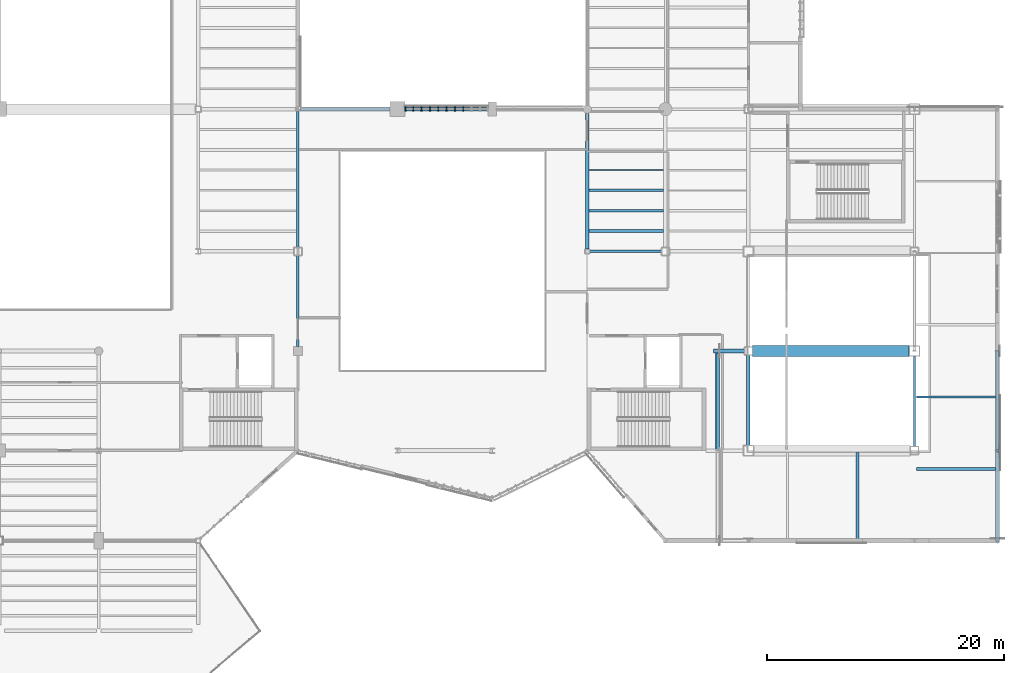
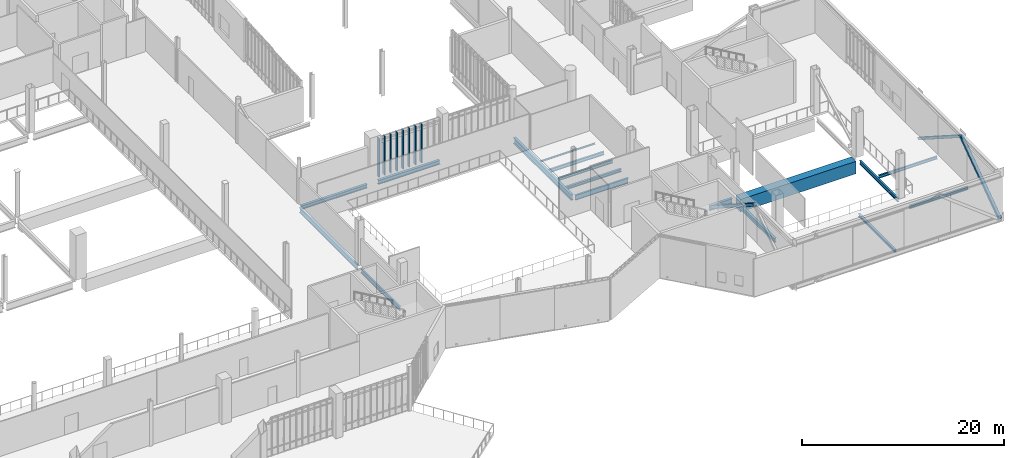
# One storey, part 26 of 127: 17 beams, 11 members, 1 element without a shape of its own.
"""IFC4 building model written with IfcOpenShell, lengths in metres."""

from ifc_helpers import new_model, si_unit, direction, frame, origin, origin_2d, place, context, subcontext, project, spatial, rectangle, hollow_rectangle, i_section, extrude, material, material_profile, profile_set, type_object, element, aggregate, save


model = new_model("IFC4")

# Units and contexts
model_context = context("Model", 3, precision=1e-05, world=origin(), true_north=direction((0.0, 1.0)))
body_context = subcontext(model_context, "Body", "Model", "MODEL_VIEW")
ifc_project = project(units=[si_unit("LENGTHUNIT", "METRE"), si_unit("AREAUNIT", "SQUARE_METRE"), si_unit("VOLUMEUNIT", "CUBIC_METRE"), si_unit("PLANEANGLEUNIT", "RADIAN"), si_unit("MASSUNIT", "GRAM", prefix="KILO")], contexts=[model_context])

# Site, building, storey
site_placement = place(None, origin())
site = spatial("IfcSite", under=ifc_project, at=site_placement, CompositionType="ELEMENT")
building_placement = place(site_placement, origin())
building = spatial("IfcBuilding", under=site, at=building_placement, Name="Larkvane Passage Sports Hall", CompositionType="ELEMENT")
storey_placement = place(building_placement, frame((0.0, 0.0, 5.39990234375)))
storey = spatial("IfcBuildingStorey", under=building, at=storey_placement, Name="L01", CompositionType="ELEMENT", Elevation=5.39990234375)

# Beams
ifc_material_1 = material(Name="Steel S355JR", Category="steel")
ifc_material_profile_1 = material_profile(ifc_material_1, i_section(OverallWidth=0.300048828125, OverallDepth=0.43994140625, WebThickness=0.010986328125, FlangeThickness=0.01806640625, FilletRadius=0.01806640625, at=origin_2d()), Name="H-440x300x11x18")
ifc_profile_set_1 = profile_set([ifc_material_profile_1], Name="Steel S355JR")
beam_type_1 = type_object("IfcBeamType", Name="BM-STL-H440", PredefinedType="BEAM", material=ifc_profile_set_1)
beam_1_placement = place(storey_placement, frame((93.80322265625, 51.60009765625, -0.639892578125), z_axis=(1.0, 0.0, 0.0), x_axis=(0.0, 1.0, 0.0)))
element("IfcBeam", 1, at=beam_1_placement, inside=storey, type_object=beam_type_1, Name="Girder BM5-X-L01-G-0406", PredefinedType="BEAM", context=body_context, shape_type="SweptSolid", body=[
    extrude(i_section(OverallWidth=0.300048828125, OverallDepth=0.43994140625, WebThickness=0.010986328125, FlangeThickness=0.01806640625, FilletRadius=0.01806640625, at=origin_2d()), origin(), (0.0, 0.0, 1.0), 7.57177734375),
])
ifc_material_profile_2 = material_profile(ifc_material_1, i_section(OverallWidth=0.300048828125, OverallDepth=0.488037109375, WebThickness=0.010986328125, FlangeThickness=0.01806640625, FilletRadius=0.02197265625, at=origin_2d()), Name="H-488x300x11x18")
ifc_profile_set_2 = profile_set([ifc_material_profile_2], Name="Steel S355JR")
beam_type_2 = type_object("IfcBeamType", Name="BM-STL-H488", PredefinedType="BEAM", material=ifc_profile_set_2)
beam_2_placement = place(storey_placement, frame((102.625, 51.60009765625, -0.663818359375), z_axis=(1.0, 0.0, 0.0), x_axis=(0.0, 1.0, 0.0)))
element("IfcBeam", 2, at=beam_2_placement, inside=storey, type_object=beam_type_2, Name="Girder BM5-X-L01-G-0407", PredefinedType="BEAM", context=body_context, shape_type="SweptSolid", body=[
    extrude(i_section(OverallWidth=0.300048828125, OverallDepth=0.488037109375, WebThickness=0.010986328125, FlangeThickness=0.01806640625, FilletRadius=0.02197265625, at=origin_2d()), origin(), (0.0, 0.0, 1.0), 7.02490234375),
])
beam_3_placement = place(storey_placement, frame((131.60009765625, 23.25, -0.663818359375), z_axis=(0.0, 1.0, 0.0), x_axis=(-1.0, 0.0, 0.0)))
element("IfcBeam", 3, at=beam_3_placement, inside=storey, type_object=beam_type_2, Name="Girder BM5-Y-L01-18-0498", PredefinedType="BEAM", context=body_context, shape_type="SweptSolid", body=[
    extrude(i_section(OverallWidth=0.300048828125, OverallDepth=0.488037109375, WebThickness=0.010986328125, FlangeThickness=0.01806640625, FilletRadius=0.02197265625, at=origin_2d()), origin(), (0.0, 0.0, 1.0), 7.60009765625),
])
ifc_material_2 = material(Name="Steel S460N", Category="steel")
ifc_material_profile_3 = material_profile(ifc_material_2, i_section(OverallWidth=0.300048828125, OverallDepth=0.587890625, WebThickness=0.011962890625, FlangeThickness=0.02001953125, FilletRadius=0.02197265625, at=origin_2d()), Name="H-588x300x12x20")
ifc_profile_set_3 = profile_set([ifc_material_profile_3], Name="Steel S460N")
beam_type_3 = type_object("IfcBeamType", Name="BM-STL-H588", PredefinedType="BEAM", material=ifc_profile_set_3)
beam_4_placement = place(storey_placement, frame((128.64990234375, 31.199951171875, -0.52392578125), z_axis=(1.0, 0.0, 0.0), x_axis=(0.0, 1.0, 0.0)))
element("IfcBeam", 4, at=beam_4_placement, inside=storey, type_object=beam_type_3, Name="East court cantilever anchor girder L01-E", PredefinedType="BEAM", context=body_context, shape_type="SweptSolid", body=[
    extrude(i_section(OverallWidth=0.300048828125, OverallDepth=0.587890625, WebThickness=0.011962890625, FlangeThickness=0.02001953125, FilletRadius=0.02197265625, at=origin_2d()), origin(), (0.0, 0.0, 1.0), 2.60009765625),
])
ifc_material_profile_4 = material_profile(ifc_material_1, i_section(OverallWidth=0.199951171875, OverallDepth=0.60009765625, WebThickness=0.010986328125, FlangeThickness=0.01708984375, FilletRadius=0.01806640625, at=origin_2d()), Name="H-600x200x11x17")
ifc_profile_set_4 = profile_set([ifc_material_profile_4], Name="Steel S355JR")
beam_type_4 = type_object("IfcBeamType", Name="BM-STL-H600", PredefinedType="BEAM", material=ifc_profile_set_4)
beam_5_placement = place(storey_placement, frame((118.199951171875, 39.60009765625, -0.719970703125), z_axis=(1.0, 0.0, 0.0), x_axis=(0.0, 1.0, 0.0)))
element("IfcBeam", 5, at=beam_5_placement, inside=storey, type_object=beam_type_4, Name="Girder BM5-X-L01-F-0397", PredefinedType="BEAM", context=body_context, shape_type="SweptSolid", body=[
    extrude(i_section(OverallWidth=0.199951171875, OverallDepth=0.60009765625, WebThickness=0.010986328125, FlangeThickness=0.01708984375, FilletRadius=0.01806640625, at=origin_2d()), origin(), (0.0, 0.0, 1.0), 6.050048828125),
])
beam_6_placement = place(storey_placement, frame((93.60009765625, 39.949951171875, -0.719970703125), z_axis=(0.0, 1.0, 0.0), x_axis=(-1.0, 0.0, 0.0)))
element("IfcBeam", 6, at=beam_6_placement, inside=storey, type_object=beam_type_4, Name="Girder BM5-Y-L01-13-0485", PredefinedType="BEAM", context=body_context, shape_type="SweptSolid", body=[
    extrude(i_section(OverallWidth=0.199951171875, OverallDepth=0.60009765625, WebThickness=0.010986328125, FlangeThickness=0.01708984375, FilletRadius=0.01806640625, at=origin_2d()), origin(), (0.0, 0.0, 1.0), 11.44677734375),
])
ifc_material_profile_5 = material_profile(ifc_material_2, i_section(OverallWidth=0.300048828125, OverallDepth=0.69189453125, WebThickness=0.012939453125, FlangeThickness=0.02001953125, FilletRadius=0.02197265625, at=origin_2d()), Name="H-692x300x13x20")
ifc_profile_set_5 = profile_set([ifc_material_profile_5], Name="Steel S460N")
beam_type_5 = type_object("IfcBeamType", Name="BM-STL-H692", PredefinedType="BEAM", material=ifc_profile_set_5)
beam_7_placement = place(storey_placement, frame((118.0, 39.800048828125, -0.765869140625), z_axis=(0.0, 1.0, 0.0), x_axis=(-1.0, 0.0, 0.0)))
element("IfcBeam", 7, at=beam_7_placement, inside=storey, type_object=beam_type_5, Name="Girder BM5-Y-L01-16-0490", PredefinedType="BEAM", context=body_context, shape_type="SweptSolid", body=[
    extrude(i_section(OverallWidth=0.300048828125, OverallDepth=0.69189453125, WebThickness=0.012939453125, FlangeThickness=0.02001953125, FilletRadius=0.02197265625, at=origin_2d()), origin(), (0.0, 0.0, 1.0), 11.449951171875),
])

# Curtain wall, members
ifc_material_3 = material(Name="Thermally broken aluminium and low-E glazing", Category="aluminium")
curtain_wall_type = type_object("IfcCurtainWallType", Name="CW-CLINIC", PredefinedType="USERDEFINED", material=ifc_material_3)
curtain_wall_placement = place(storey_placement, origin())
curtain_wall = element("IfcCurtainWall", 8, at=curtain_wall_placement, inside=storey, type_object=curtain_wall_type, Name="Curtain wall CW5-L01-047", ObjectType="UNITISED CURTAIN WALL", PredefinedType="USERDEFINED")
ifc_material_4 = material(Name="Anodised aluminium 6063-T6", Category="aluminium")
ifc_material_profile_6 = material_profile(ifc_material_4, rectangle(XDim=0.110107421875, YDim=0.360107421875, at=origin_2d()), Name="ALU-MUL-110x360")
ifc_profile_set_6 = profile_set([ifc_material_profile_6], Name="Anodised aluminium 6063-T6")
member_type_1 = type_object("IfcMemberType", Name="CW-MUL-110x360", PredefinedType="MULLION", material=ifc_profile_set_6)
member_1_placement = place(storey_placement, frame((102.676025390625, 51.60009765625, 0.0), z_axis=(0.0, 0.0, 1.0), x_axis=(1.0, 0.0, 0.0)))
member_1 = element("IfcMember", 9, at=member_1_placement, type_object=member_type_1, Name="CW-05 mullion 1", PredefinedType="MULLION", context=body_context, shape_type="SweptSolid", body=[
    extrude(rectangle(XDim=0.110107421875, YDim=0.360107421875, at=origin_2d()), origin(), (0.0, 0.0, 1.0), 4.674072265625),
])
member_2_placement = place(storey_placement, frame((103.32421875, 51.60009765625, 0.0), z_axis=(0.0, 0.0, 1.0), x_axis=(1.0, 0.0, 0.0)))
member_2 = element("IfcMember", 10, at=member_2_placement, type_object=member_type_1, Name="CW-05 mullion 2", PredefinedType="MULLION", context=body_context, shape_type="SweptSolid", body=[
    extrude(rectangle(XDim=0.110107421875, YDim=0.360107421875, at=origin_2d()), origin(), (0.0, 0.0, 1.0), 4.674072265625),
])
member_3_placement = place(storey_placement, frame((104.027587890625, 51.60009765625, 0.0), z_axis=(0.0, 0.0, 1.0), x_axis=(1.0, 0.0, 0.0)))
member_3 = element("IfcMember", 11, at=member_3_placement, type_object=member_type_1, Name="CW-05 mullion 3", PredefinedType="MULLION", context=body_context, shape_type="SweptSolid", body=[
    extrude(rectangle(XDim=0.110107421875, YDim=0.360107421875, at=origin_2d()), origin(), (0.0, 0.0, 1.0), 4.674072265625),
])
member_4_placement = place(storey_placement, frame((104.73095703125, 51.60009765625, 0.0), z_axis=(0.0, 0.0, 1.0), x_axis=(1.0, 0.0, 0.0)))
member_4 = element("IfcMember", 12, at=member_4_placement, type_object=member_type_1, Name="CW-05 mullion 4", PredefinedType="MULLION", context=body_context, shape_type="SweptSolid", body=[
    extrude(rectangle(XDim=0.110107421875, YDim=0.360107421875, at=origin_2d()), origin(), (0.0, 0.0, 1.0), 4.674072265625),
])
member_5_placement = place(storey_placement, frame((105.43408203125, 51.60009765625, 0.0), z_axis=(0.0, 0.0, 1.0), x_axis=(1.0, 0.0, 0.0)))
member_5 = element("IfcMember", 13, at=member_5_placement, type_object=member_type_1, Name="CW-05 mullion 5", PredefinedType="MULLION", context=body_context, shape_type="SweptSolid", body=[
    extrude(rectangle(XDim=0.110107421875, YDim=0.360107421875, at=origin_2d()), origin(), (0.0, 0.0, 1.0), 4.674072265625),
])
member_6_placement = place(storey_placement, frame((106.137451171875, 51.60009765625, 0.0), z_axis=(0.0, 0.0, 1.0), x_axis=(1.0, 0.0, 0.0)))
member_6 = element("IfcMember", 14, at=member_6_placement, type_object=member_type_1, Name="CW-05 mullion 6", PredefinedType="MULLION", context=body_context, shape_type="SweptSolid", body=[
    extrude(rectangle(XDim=0.110107421875, YDim=0.360107421875, at=origin_2d()), origin(), (0.0, 0.0, 1.0), 4.674072265625),
])
member_7_placement = place(storey_placement, frame((106.8408203125, 51.60009765625, 0.0), z_axis=(0.0, 0.0, 1.0), x_axis=(1.0, 0.0, 0.0)))
member_7 = element("IfcMember", 15, at=member_7_placement, type_object=member_type_1, Name="CW-05 mullion 7", PredefinedType="MULLION", context=body_context, shape_type="SweptSolid", body=[
    extrude(rectangle(XDim=0.110107421875, YDim=0.360107421875, at=origin_2d()), origin(), (0.0, 0.0, 1.0), 4.674072265625),
])
member_8_placement = place(storey_placement, frame((107.544189453125, 51.60009765625, 0.0), z_axis=(0.0, 0.0, 1.0), x_axis=(1.0, 0.0, 0.0)))
member_8 = element("IfcMember", 16, at=member_8_placement, type_object=member_type_1, Name="CW-05 mullion 8", PredefinedType="MULLION", context=body_context, shape_type="SweptSolid", body=[
    extrude(rectangle(XDim=0.110107421875, YDim=0.360107421875, at=origin_2d()), origin(), (0.0, 0.0, 1.0), 4.674072265625),
])
aggregate(curtain_wall, [member_1, member_2, member_3, member_4, member_5, member_6, member_7, member_8])

# Beams
ifc_material_profile_7 = material_profile(ifc_material_1, i_section(OverallWidth=0.10009765625, OverallDepth=0.199951171875, WebThickness=0.005615234375, FlangeThickness=0.008056640625, FilletRadius=0.008056640625, at=origin_2d()), Name="H-200x100x5.5x8")
ifc_profile_set_7 = profile_set([ifc_material_profile_7], Name="Steel S355JR")
beam_type_6 = type_object("IfcBeamType", Name="JST-STL-H200", PredefinedType="JOIST", material=ifc_profile_set_7)
beam_8_placement = place(storey_placement, frame((118.14990234375, 46.45703125, -0.52001953125), z_axis=(1.0, 0.0, 0.0), x_axis=(0.0, 1.0, 0.0)))
element("IfcBeam", 17, at=beam_8_placement, inside=storey, type_object=beam_type_6, Name="Composite joist L01 16/F-4", PredefinedType="JOIST", context=body_context, shape_type="SweptSolid", body=[
    extrude(i_section(OverallWidth=0.10009765625, OverallDepth=0.199951171875, WebThickness=0.005615234375, FlangeThickness=0.008056640625, FilletRadius=0.008056640625, at=origin_2d()), origin(), (0.0, 0.0, 1.0), 6.300048828125),
])
ifc_material_profile_8 = material_profile(ifc_material_1, i_section(OverallWidth=0.25, OverallDepth=0.340087890625, WebThickness=0.009033203125, FlangeThickness=0.013916015625, FilletRadius=0.012939453125, at=origin_2d()), Name="H-340x250x9x14")
ifc_profile_set_8 = profile_set([ifc_material_profile_8], Name="Steel S355JR")
beam_type_7 = type_object("IfcBeamType", Name="JST-STL-H340", PredefinedType="JOIST", material=ifc_profile_set_8)
beam_9_placement = place(storey_placement, frame((118.14990234375, 41.314208984375, -0.58984375), z_axis=(1.0, 0.0, 0.0), x_axis=(0.0, 1.0, 0.0)))
element("IfcBeam", 18, at=beam_9_placement, inside=storey, type_object=beam_type_7, Name="Composite joist L01 16/F-1", PredefinedType="JOIST", context=body_context, shape_type="SweptSolid", body=[
    extrude(i_section(OverallWidth=0.25, OverallDepth=0.340087890625, WebThickness=0.009033203125, FlangeThickness=0.013916015625, FilletRadius=0.012939453125, at=origin_2d()), origin(), (0.0, 0.0, 1.0), 6.300048828125),
])
beam_10_placement = place(storey_placement, frame((145.760009765625, 21.2666015625, -0.39990234375), z_axis=(1.0, 0.0, 0.0), x_axis=(0.0, 1.0, 0.0)))
element("IfcBeam", 19, at=beam_10_placement, inside=storey, type_object=beam_type_7, Name="Cantilever floor joist CT-E1A--2-1", PredefinedType="JOIST", context=body_context, shape_type="SweptSolid", body=[
    extrude(i_section(OverallWidth=0.25, OverallDepth=0.340087890625, WebThickness=0.009033203125, FlangeThickness=0.013916015625, FilletRadius=0.012939453125, at=origin_2d()), origin(), (0.0, 0.0, 1.0), 6.679931640625),
])
beam_11_placement = place(storey_placement, frame((140.800048828125, 15.360107421875, -0.39990234375), z_axis=(0.0, 1.0, 0.0), x_axis=(-1.0, 0.0, 0.0)))
element("IfcBeam", 20, at=beam_11_placement, inside=storey, type_object=beam_type_7, Name="Cantilever floor joist CT-S1A--1-2", PredefinedType="JOIST", context=body_context, shape_type="SweptSolid", body=[
    extrude(i_section(OverallWidth=0.25, OverallDepth=0.340087890625, WebThickness=0.009033203125, FlangeThickness=0.013916015625, FilletRadius=0.012939453125, at=origin_2d()), origin(), (0.0, 0.0, 1.0), 7.27978515625),
])
ifc_material_profile_9 = material_profile(ifc_material_1, i_section(OverallWidth=0.175048828125, OverallDepth=0.35009765625, WebThickness=0.007080078125, FlangeThickness=0.010986328125, FilletRadius=0.012939453125, at=origin_2d()), Name="H-350x175x7x11")
ifc_profile_set_9 = profile_set([ifc_material_profile_9], Name="Steel S355JR")
beam_type_8 = type_object("IfcBeamType", Name="JST-STL-H350", PredefinedType="JOIST", material=ifc_profile_set_9)
beam_12_placement = place(storey_placement, frame((118.14990234375, 43.028564453125, -0.594970703125), z_axis=(1.0, 0.0, 0.0), x_axis=(0.0, 1.0, 0.0)))
element("IfcBeam", 21, at=beam_12_placement, inside=storey, type_object=beam_type_8, Name="Composite joist L01 16/F-2", PredefinedType="JOIST", context=body_context, shape_type="SweptSolid", body=[
    extrude(i_section(OverallWidth=0.175048828125, OverallDepth=0.35009765625, WebThickness=0.007080078125, FlangeThickness=0.010986328125, FilletRadius=0.012939453125, at=origin_2d()), origin(), (0.0, 0.0, 1.0), 6.300048828125),
])
beam_13_placement = place(storey_placement, frame((145.760009765625, 27.333251953125, -0.40478515625), z_axis=(1.0, 0.0, 0.0), x_axis=(0.0, 1.0, 0.0)))
element("IfcBeam", 22, at=beam_13_placement, inside=storey, type_object=beam_type_8, Name="Cantilever floor joist CT-E1A--2-2", PredefinedType="JOIST", context=body_context, shape_type="SweptSolid", body=[
    extrude(i_section(OverallWidth=0.175048828125, OverallDepth=0.35009765625, WebThickness=0.007080078125, FlangeThickness=0.010986328125, FilletRadius=0.012939453125, at=origin_2d()), origin(), (0.0, 0.0, 1.0), 6.679931640625),
])
ifc_material_profile_10 = material_profile(ifc_material_1, i_section(OverallWidth=0.199951171875, OverallDepth=0.39990234375, WebThickness=0.008056640625, FlangeThickness=0.012939453125, FilletRadius=0.012939453125, at=origin_2d()), Name="H-400x200x8x13")
ifc_profile_set_10 = profile_set([ifc_material_profile_10], Name="Steel S355JR")
beam_type_9 = type_object("IfcBeamType", Name="JST-STL-H400", PredefinedType="JOIST", material=ifc_profile_set_10)
beam_14_placement = place(storey_placement, frame((118.14990234375, 44.742919921875, -0.619873046875), z_axis=(1.0, 0.0, 0.0), x_axis=(0.0, 1.0, 0.0)))
element("IfcBeam", 23, at=beam_14_placement, inside=storey, type_object=beam_type_9, Name="Composite joist L01 16/F-3", PredefinedType="JOIST", context=body_context, shape_type="SweptSolid", body=[
    extrude(i_section(OverallWidth=0.199951171875, OverallDepth=0.39990234375, WebThickness=0.008056640625, FlangeThickness=0.012939453125, FilletRadius=0.012939453125, at=origin_2d()), origin(), (0.0, 0.0, 1.0), 6.300048828125),
])

# Members
ifc_material_profile_11 = material_profile(ifc_material_2, hollow_rectangle(XDim=0.300048828125, YDim=0.300048828125, WallThickness=0.011962890625, InnerFilletRadius=0.011962890625, OuterFilletRadius=0.02392578125, at=origin_2d()), Name="SHS-300x300x12")
ifc_profile_set_11 = profile_set([ifc_material_profile_11], Name="Steel S460N")
member_type_2 = type_object("IfcMemberType", Name="MBR-BR-SHS300", PredefinedType="BRACE", material=ifc_profile_set_11)
member_9_placement = place(storey_placement, frame((152.60009765625, 22.800048828125, 4.856201171875), z_axis=(0.0, 0.842080661056, -0.539351610989), x_axis=(-1.0, 0.0, 0.0)))
element("IfcMember", 24, at=member_9_placement, inside=storey, type_object=member_type_2, Name="Cantilever truss CT-S1A-2 web diagonal 2", PredefinedType="BRACE", context=body_context, shape_type="SweptSolid", body=[
    extrude(hollow_rectangle(XDim=0.300048828125, YDim=0.300048828125, WallThickness=0.011962890625, InnerFilletRadius=0.011962890625, OuterFilletRadius=0.02392578125, at=origin_2d()), origin(), (0.0, 0.0, 1.0), 9.97509765625),
])
ifc_material_profile_12 = material_profile(ifc_material_2, hollow_rectangle(XDim=0.35009765625, YDim=0.35009765625, WallThickness=0.01611328125, InnerFilletRadius=0.01611328125, OuterFilletRadius=0.031982421875, at=origin_2d()), Name="SHS-350x350x16")
ifc_profile_set_12 = profile_set([ifc_material_profile_12], Name="Steel S460N")
member_type_3 = type_object("IfcMemberType", Name="MBR-BR-SHS350", PredefinedType="BRACE", material=ifc_profile_set_12)
member_10_placement = place(storey_placement, frame((129.0, 22.800048828125, 4.856201171875), z_axis=(0.0, 0.842080661056, -0.539351610989), x_axis=(-1.0, 0.0, 0.0)))
element("IfcMember", 25, at=member_10_placement, inside=storey, type_object=member_type_3, Name="Cantilever truss CT-S1A-1 web diagonal 2", PredefinedType="BRACE", context=body_context, shape_type="SweptSolid", body=[
    extrude(hollow_rectangle(XDim=0.35009765625, YDim=0.35009765625, WallThickness=0.01611328125, InnerFilletRadius=0.01611328125, OuterFilletRadius=0.031982421875, at=origin_2d()), origin(), (0.0, 0.0, 1.0), 9.97509765625),
])
member_11_placement = place(storey_placement, frame((152.60009765625, 15.199951171875, -0.52392578125), z_axis=(0.0, 0.816190368357, 0.577783075731), x_axis=(-1.0, 0.0, 0.0)))
element("IfcMember", 26, at=member_11_placement, inside=storey, type_object=member_type_3, Name="Cantilever truss CT-S1A-2 web diagonal 1", PredefinedType="BRACE", context=body_context, shape_type="SweptSolid", body=[
    extrude(hollow_rectangle(XDim=0.35009765625, YDim=0.35009765625, WallThickness=0.01611328125, InnerFilletRadius=0.01611328125, OuterFilletRadius=0.031982421875, at=origin_2d()), origin(), (0.0, 0.0, 1.0), 9.311767578125),
])

# Beams
ifc_material_5 = material(Name="Concrete C50/60", Category="concrete")
ifc_material_profile_13 = material_profile(ifc_material_5, rectangle(XDim=0.89990234375, YDim=1.5, at=origin_2d()), Name="PT-GIR-900x1500")
ifc_profile_set_13 = profile_set([ifc_material_profile_13], Name="Concrete C50/60")
beam_type_10 = type_object("IfcBeamType", Name="PTG-900x1500", PredefinedType="BEAM", material=ifc_profile_set_13)
beam_15_placement = place(storey_placement, frame((131.949951171875, 31.199951171875, -1.169921875), z_axis=(1.0, 0.0, 0.0), x_axis=(0.0, 1.0, 0.0)))
element("IfcBeam", 27, at=beam_15_placement, inside=storey, type_object=beam_type_10, Name="Post-tensioned transfer girder BM5-X-L01-E-0395", PredefinedType="BEAM", context=body_context, shape_type="SweptSolid", body=[
    extrude(rectangle(XDim=0.89990234375, YDim=1.5, at=origin_2d()), origin(), (0.0, 0.0, 1.0), 13.199951171875),
])
ifc_material_profile_14 = material_profile(ifc_material_1, i_section(OverallWidth=0.199951171875, OverallDepth=0.449951171875, WebThickness=0.009033203125, FlangeThickness=0.013916015625, FilletRadius=0.01806640625, at=origin_2d()), Name="H-450x200x9x14")
ifc_profile_set_14 = profile_set([ifc_material_profile_14], Name="Steel S355JR")
beam_type_11 = type_object("IfcBeamType", Name="SP-STL-H450", PredefinedType="SPANDREL", material=ifc_profile_set_14)
beam_16_placement = place(storey_placement, frame((145.60009765625, 23.14990234375, -0.64501953125), z_axis=(0.0, 1.0, 0.0), x_axis=(-1.0, 0.0, 0.0)))
element("IfcBeam", 28, at=beam_16_placement, inside=storey, type_object=beam_type_11, Name="Girder BM5-Y-L01-19-0503", PredefinedType="SPANDREL", context=body_context, shape_type="SweptSolid", body=[
    extrude(i_section(OverallWidth=0.199951171875, OverallDepth=0.449951171875, WebThickness=0.009033203125, FlangeThickness=0.013916015625, FilletRadius=0.01806640625, at=origin_2d()), origin(), (0.0, 0.0, 1.0), 7.60009765625),
])
ifc_material_profile_15 = material_profile(ifc_material_1, i_section(OverallWidth=0.199951171875, OverallDepth=0.5, WebThickness=0.010009765625, FlangeThickness=0.01611328125, FilletRadius=0.01806640625, at=origin_2d()), Name="H-500x200x10x16")
ifc_profile_set_15 = profile_set([ifc_material_profile_15], Name="Steel S355JR")
beam_type_12 = type_object("IfcBeamType", Name="SP-STL-H500", PredefinedType="SPANDREL", material=ifc_profile_set_15)
beam_17_placement = place(storey_placement, frame((93.60009765625, 31.574951171875, -0.669921875), z_axis=(0.0, 1.0, 0.0), x_axis=(-1.0, 0.0, 0.0)))
element("IfcBeam", 29, at=beam_17_placement, inside=storey, type_object=beam_type_12, Name="Girder BM5-Y-L01-13-0484", PredefinedType="SPANDREL", context=body_context, shape_type="SweptSolid", body=[
    extrude(i_section(OverallWidth=0.199951171875, OverallDepth=0.5, WebThickness=0.010009765625, FlangeThickness=0.01611328125, FilletRadius=0.01806640625, at=origin_2d()), origin(), (0.0, 0.0, 1.0), 7.675048828125),
])

save(model, "model.ifc")
